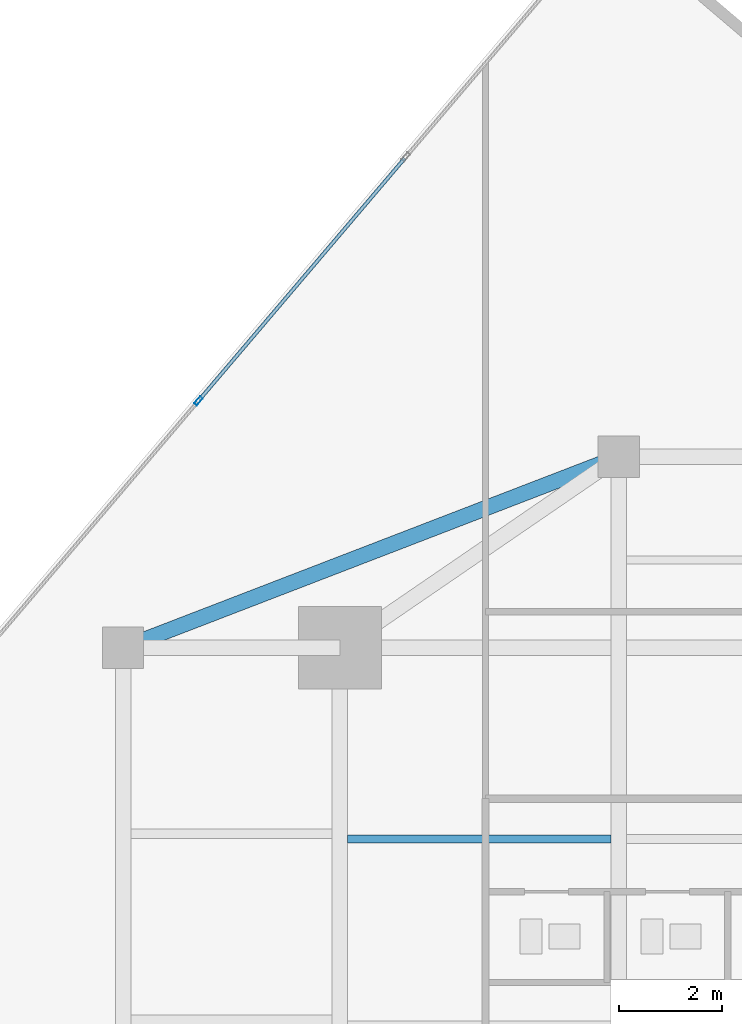
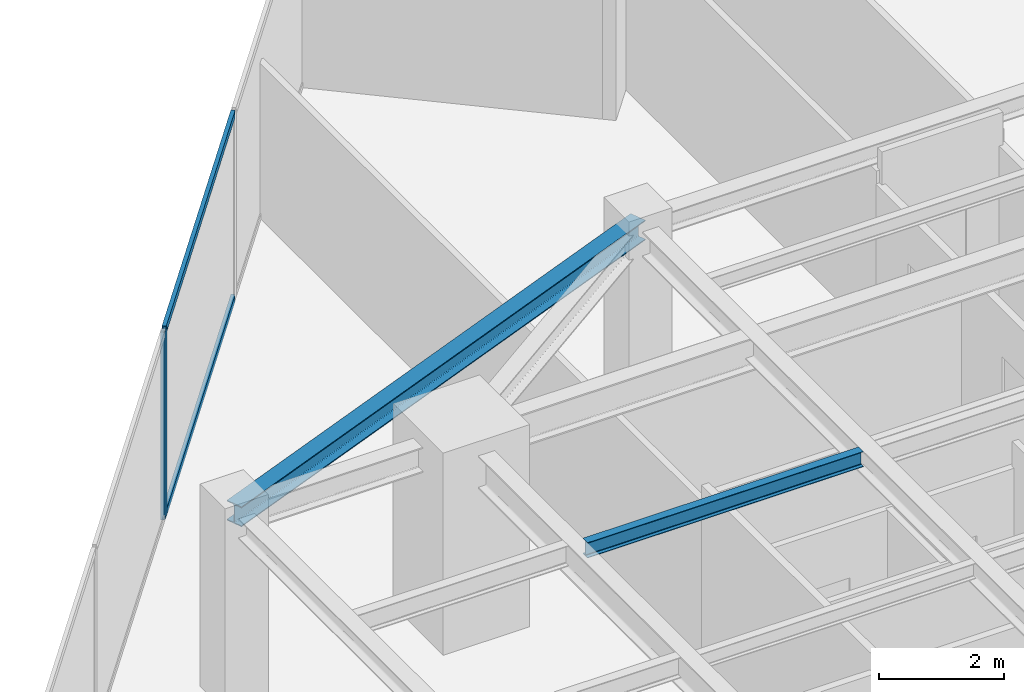
# One storey, part 15 of 25: 3 members, 2 beams, 1 element without a shape of its own.
"""IFC4 building model written with IfcOpenShell, lengths in metres."""

import ifcopenshell
import ifcopenshell.guid

model = None  # the IFC model being written
_history = None  # IfcOwnerHistory: only IFC2X3 demands one
_inside = {}  # id of a spatial element -> (the spatial element, [elements in it])
_under = {}  # id of a project, library or spatial element -> (it, [spatial elements below it])
_declared = {}  # id of a project -> (the project, [libraries it declares])
_typed = {}  # id of a type object -> (the type object, [elements of that type])
_made_of = {}  # id of a material, layer set ... -> (it, [elements and type objects made of it])


def new_model(schema):
    """Start an empty IFC model of exactly this schema.

    Asked for "IFC4X3", IfcOpenShell would pick the latest addendum, in which some entities
    have other attributes; the version numbers below select the first issue.
    IFC2X3 requires an IfcOwnerHistory on every rooted entity: one is made here for all.
    """
    global model, _history
    if schema == "IFC4X3":
        model = ifcopenshell.file(schema_version=(4, 3, 0, 0))
    else:
        model = ifcopenshell.file(schema=schema)
    _inside.clear()
    _under.clear()
    _declared.clear()
    _typed.clear()
    _made_of.clear()
    _history = None
    if model.schema == "IFC2X3":
        org = make("IfcOrganization", Name="unknown")
        user = make(
            "IfcPersonAndOrganization",
            ThePerson=make("IfcPerson", FamilyName="unknown"),
            TheOrganization=org,
        )
        app = make(
            "IfcApplication",
            ApplicationDeveloper=org,
            Version="unknown",
            ApplicationFullName="unknown",
            ApplicationIdentifier="unknown",
        )
        _history = make(
            "IfcOwnerHistory",
            OwningUser=user,
            OwningApplication=app,
            ChangeAction="ADDED",
            CreationDate=0,
        )
    return model


def make(cls, **values):
    """One entity of the class cls with the attributes given. An attribute that is None is left unset."""
    return model.create_entity(
        cls, **{name: value for name, value in values.items() if value is not None}
    )


def rooted(cls, **values):
    """An entity with a GlobalId (a new one), such as an element, a storey or a relation."""
    return make(cls, GlobalId=ifcopenshell.guid.new(), OwnerHistory=_history, **values)


def si_unit(unit_type, name, prefix=None):
    """IfcSIUnit, for example si_unit("LENGTHUNIT", "METRE", prefix="MILLI")."""
    return make("IfcSIUnit", UnitType=unit_type, Prefix=prefix, Name=name)


def assignment(units):
    """IfcUnitAssignment: the units of a project."""
    return None if units is None else make("IfcUnitAssignment", Units=units)


def point(xyz):
    """IfcCartesianPoint."""
    return None if xyz is None else make("IfcCartesianPoint", Coordinates=xyz)


def direction(xyz):
    """IfcDirection."""
    return None if xyz is None else make("IfcDirection", DirectionRatios=xyz)


def frame(location, z_axis=None, x_axis=None):
    """IfcAxis2Placement3D, a coordinate frame: its origin and axes. An axis left out is left unset."""
    return make(
        "IfcAxis2Placement3D",
        Location=point(location),
        Axis=direction(z_axis),
        RefDirection=direction(x_axis),
    )


def frame_2d(location, x_axis=None):
    """IfcAxis2Placement2D, a coordinate frame in the plane: its origin and x axis."""
    return make(
        "IfcAxis2Placement2D", Location=point(location), RefDirection=direction(x_axis)
    )


def origin():
    """The frame at (0, 0, 0) with its axes left unset."""
    return frame((0.0, 0.0, 0.0))


def origin_2d():
    """The frame at (0, 0) in the plane with its x axis left unset."""
    return frame_2d((0.0, 0.0))


def place(relative_to, where):
    """IfcLocalPlacement: puts the frame where relative to a parent placement (None: the world)."""
    return make(
        "IfcLocalPlacement", PlacementRelTo=relative_to, RelativePlacement=where
    )


def context(
    kind, dimensions, precision=None, world=None, true_north=None, identifier=None
):
    """IfcGeometricRepresentationContext, for example the 3D "Model" context."""
    return make(
        "IfcGeometricRepresentationContext",
        ContextIdentifier=identifier,
        ContextType=kind,
        CoordinateSpaceDimension=dimensions,
        Precision=precision,
        WorldCoordinateSystem=world,
        TrueNorth=true_north,
    )


def subcontext(parent, identifier, kind, view, scale=None):
    """IfcGeometricRepresentationSubContext, for example "Body" below "Model"."""
    return make(
        "IfcGeometricRepresentationSubContext",
        ContextIdentifier=identifier,
        ContextType=kind,
        ParentContext=parent,
        TargetScale=scale,
        TargetView=view,
    )


def project(units=None, contexts=None):
    """IfcProject with its units and contexts."""
    return rooted(
        "IfcProject",
        Name="project",
        RepresentationContexts=contexts,
        UnitsInContext=assignment(units),
    )


def spatial(cls, under=None, at=None, **own):
    """A site, building, storey or space (cls), placed at a placement, below another one or the project."""
    s = rooted(cls, ObjectPlacement=at, **own)
    if under is not None:
        _under.setdefault(under.id(), (under, []))[1].append(s)
    return s


def profile(cls, at=None, kind="AREA", **sizes):
    """A parametric profile (cls). Its sizes go by their IFC names, for example OverallWidth=200.0."""
    return make(cls, ProfileType=kind, Position=at, **sizes)


def hollow_rectangle(**sizes):
    """IfcRectangleHollowProfileDef."""
    return profile("IfcRectangleHollowProfileDef", **sizes)


def i_section(**sizes):
    """IfcIShapeProfileDef."""
    return profile("IfcIShapeProfileDef", **sizes)


def extrude(swept, where, along, depth):
    """IfcExtrudedAreaSolid: the profile swept, set in the frame where, extruded along a direction by depth."""
    return make(
        "IfcExtrudedAreaSolid",
        SweptArea=swept,
        Position=where,
        ExtrudedDirection=direction(along),
        Depth=depth,
    )


def shape(context_of_items, identifier, shape_type, items):
    """IfcShapeRepresentation: the items that make up one representation, for example the "Body"."""
    return make(
        "IfcShapeRepresentation",
        ContextOfItems=context_of_items,
        RepresentationIdentifier=identifier,
        RepresentationType=shape_type,
        Items=items,
    )


def source(mapping_origin, context_of_items, identifier, shape_type, items):
    """IfcRepresentationMap: a shape defined once, which mapped items show again and again."""
    return make(
        "IfcRepresentationMap",
        MappingOrigin=mapping_origin,
        MappedRepresentation=shape(context_of_items, identifier, shape_type, items),
    )


def transform(
    local_origin,
    x_axis=None,
    y_axis=None,
    z_axis=None,
    scale=None,
    scale2=None,
    scale3=None,
    uniform=True,
):
    """IfcCartesianTransformationOperator3D, or its non-uniform kind. x_axis, y_axis, z_axis: its Axis1, 2, 3."""
    if uniform:
        return make(
            "IfcCartesianTransformationOperator3D",
            Axis1=direction(x_axis),
            Axis2=direction(y_axis),
            LocalOrigin=point(local_origin),
            Scale=scale,
            Axis3=direction(z_axis),
        )
    return make(
        "IfcCartesianTransformationOperator3DnonUniform",
        Axis1=direction(x_axis),
        Axis2=direction(y_axis),
        LocalOrigin=point(local_origin),
        Scale=scale,
        Axis3=direction(z_axis),
        Scale2=scale2,
        Scale3=scale3,
    )


def mapped(mapping_source, mapping_target):
    """IfcMappedItem: shows the shape of a source again, moved by a transform."""
    return make(
        "IfcMappedItem", MappingSource=mapping_source, MappingTarget=mapping_target
    )


def material(Name=None, Category=None):
    """IfcMaterial."""
    return make("IfcMaterial", Name=Name, Category=Category)


def material_profile(
    of_material, cross_section, Name=None, Category=None, Priority=None
):
    """IfcMaterialProfile: a cross section and its material."""
    return make(
        "IfcMaterialProfile",
        Name=Name,
        Material=of_material,
        Profile=cross_section,
        Priority=Priority,
        Category=Category,
    )


def profile_set(profiles, Name=None, composite=None):
    """IfcMaterialProfileSet."""
    return make(
        "IfcMaterialProfileSet",
        Name=Name,
        MaterialProfiles=profiles,
        CompositeProfile=composite,
    )


def made_of(thing, what):
    """Note that an element or type object is made of a material, layer set ...; save() writes the relation."""
    if what is not None:
        _made_of.setdefault(what.id(), (what, []))[1].append(thing)
    return thing


def type_object(cls, material=None, **own):
    """A type object (cls), such as IfcWallType, which elements share."""
    return made_of(rooted(cls, **own), material)


def type_shapes(of_type, sources):
    """Give a type object the sources (RepresentationMaps) that its elements show as mapped items."""
    of_type.RepresentationMaps = sources


def element(
    cls,
    number,
    at=None,
    inside=None,
    cuts=None,
    type_object=None,
    material=None,
    context=None,
    identifier="Body",
    shape_type=None,
    held_by="IfcProductDefinitionShape",
    body=None,
    shapes=None,
    **own,
):
    """One element of the class cls, such as IfcWall. Its Tag is "e" and its number.

    at: its placement. inside: the storey or other place that contains it. cuts: it is an
    opening in that element (IfcRelVoidsElement). A single representation is given by context,
    identifier, shape_type and body (its items); several are given by shapes. held_by: the class
    of the entity that holds the representations. save() writes the other relations.
    """
    e = rooted(cls, Tag="e%d" % number, ObjectPlacement=at, **own)
    if body is not None:
        shapes = [shape(context, identifier, shape_type, body)]
    if shapes is not None:
        e.Representation = make(held_by, Representations=shapes)
    if inside is not None:
        _inside.setdefault(inside.id(), (inside, []))[1].append(e)
    if cuts is not None:
        rooted(
            "IfcRelVoidsElement", RelatingBuildingElement=cuts, RelatedOpeningElement=e
        )
    if type_object is not None:
        _typed.setdefault(type_object.id(), (type_object, []))[1].append(e)
    return made_of(e, material)


def aggregate(whole, parts):
    """IfcRelAggregates: a whole, such as a stair, and the parts it consists of."""
    return rooted("IfcRelAggregates", RelatingObject=whole, RelatedObjects=parts)


def save(model, path):
    """Write the relations noted so far, then the file.

    IfcRelAggregates (storeys below a building ...), IfcRelContainedInSpatialStructure (elements
    in a storey), IfcRelDefinesByType, IfcRelAssociatesMaterial and IfcRelDeclares: one each for
    every whole, place, type object, material and project.
    """
    for whole, parts in _under.values():
        aggregate(whole, parts)
    for where, things in _inside.values():
        rooted(
            "IfcRelContainedInSpatialStructure",
            RelatedElements=things,
            RelatingStructure=where,
        )
    for kind, things in _typed.values():
        rooted("IfcRelDefinesByType", RelatedObjects=things, RelatingType=kind)
    for what, things in _made_of.values():
        rooted("IfcRelAssociatesMaterial", RelatedObjects=things, RelatingMaterial=what)
    for by, libraries in _declared.values():
        rooted("IfcRelDeclares", RelatingContext=by, RelatedDefinitions=libraries)
    model.write(path)


model = new_model("IFC4")

# Units and contexts
model_context = context("Model", 3, precision=1e-05, world=origin(), true_north=direction((0.0, 1.0)))
body_context = subcontext(model_context, "Body", "Model", "MODEL_VIEW")
ifc_project = project(units=[si_unit("LENGTHUNIT", "METRE"), si_unit("AREAUNIT", "SQUARE_METRE"), si_unit("VOLUMEUNIT", "CUBIC_METRE"), si_unit("PLANEANGLEUNIT", "RADIAN"), si_unit("MASSUNIT", "GRAM", prefix="KILO")], contexts=[model_context])

# Site, building, storey
site_placement = place(None, origin())
site = spatial("IfcSite", under=ifc_project, at=site_placement, CompositionType="ELEMENT")
building_placement = place(site_placement, origin())
building = spatial("IfcBuilding", under=site, at=building_placement, Name="Krantzveldt Concourse Tower", CompositionType="ELEMENT")
storey_placement = place(building_placement, frame((0.0, 0.0, 215.199951171875)))
storey = spatial("IfcBuildingStorey", under=building, at=storey_placement, Name="L52", CompositionType="ELEMENT", Elevation=215.199951171875)

# Beams
ifc_material_1 = material(Name="Steel S355JR", Category="steel")
ifc_material_profile_1 = material_profile(ifc_material_1, i_section(OverallWidth=0.300048828125, OverallDepth=0.389892578125, WebThickness=0.010986328125, FlangeThickness=0.01904296875, FilletRadius=0.027099609375, at=origin_2d()), Name="Steel S355JR", Category="steel")
ifc_profile_set_1 = profile_set([ifc_material_profile_1], Name="Steel S355JR - HEA 400")
beam_type_1 = type_object("IfcBeamType", Name="BM-SP-HEA400", PredefinedType="SPANDREL", material=ifc_profile_set_1)
shared_shape_1 = source(origin(), body_context, "Body", "SweptSolid", [
    extrude(i_section(OverallWidth=0.300048828125, OverallDepth=0.389892578125, WebThickness=0.010986328125, FlangeThickness=0.01904296875, FilletRadius=0.027099609375, at=origin_2d()), origin(), (0.0, 0.0, 1.0), 10.288330078125),
])
type_shapes(beam_type_1, [shared_shape_1])
beam_1_placement = place(storey_placement, frame((21.0, 37.5, 3.47509765625), z_axis=(0.933097690408, 0.359622997257, 0.0), x_axis=(-0.359622997257, 0.933097690408, 0.0)))
element("IfcBeam", 1, at=beam_1_placement, inside=storey, type_object=beam_type_1, Name="L52 Tower Girder SP-R03", PredefinedType="SPANDREL", context=body_context, shape_type="MappedRepresentation", body=[
    mapped(shared_shape_1, transform((0.0, 0.0, 0.0), x_axis=(1.0, 0.0, 0.0), y_axis=(0.0, 1.0, 0.0), z_axis=(0.0, 0.0, 1.0), scale=1.0)),
])
ifc_material_profile_2 = material_profile(ifc_material_1, i_section(OverallWidth=0.14990234375, OverallDepth=0.300048828125, WebThickness=0.007080078125, FlangeThickness=0.0107421875, FilletRadius=0.014892578125, at=origin_2d()), Name="Steel S355JR", Category="steel")
ifc_profile_set_2 = profile_set([ifc_material_profile_2], Name="Steel S355JR - IPE 300")
beam_type_2 = type_object("IfcBeamType", Name="BM-J-IPE300", PredefinedType="JOIST", material=ifc_profile_set_2)
shared_shape_2 = source(origin(), body_context, "Body", "SweptSolid", [
    extrude(i_section(OverallWidth=0.14990234375, OverallDepth=0.300048828125, WebThickness=0.007080078125, FlangeThickness=0.0107421875, FilletRadius=0.014892578125, at=origin_2d()), origin(), (0.0, 0.0, 1.0), 5.099853515625),
])
type_shapes(beam_type_2, [shared_shape_2])
beam_2_placement = place(storey_placement, frame((25.35009765625, 33.800048828125, 3.52001953125), z_axis=(1.0, 0.0, 0.0), x_axis=(0.0, 1.0, 0.0)))
element("IfcBeam", 2, at=beam_2_placement, inside=storey, type_object=beam_type_2, Name="L52 Secondary Floor Joist JN-W2", PredefinedType="JOIST", context=body_context, shape_type="MappedRepresentation", body=[
    mapped(shared_shape_2, transform((0.0, 0.0, 0.0), x_axis=(1.0, 0.0, 0.0), y_axis=(0.0, 1.0, 0.0), z_axis=(0.0, 0.0, 1.0), scale=1.0)),
])

# Curtain wall, members
ifc_material_2 = material(Name="Anodised aluminium 6063-T6", Category="aluminium")
curtain_wall_type = type_object("IfcCurtainWallType", Name="CW3", PredefinedType="USERDEFINED", material=ifc_material_2)
curtain_wall_placement = place(storey_placement, origin())
curtain_wall = element("IfcCurtainWall", 3, at=curtain_wall_placement, inside=storey, type_object=curtain_wall_type, Name="CW-L52-F01", ObjectType="UNITISED CURTAIN WALL", PredefinedType="USERDEFINED")
ifc_material_profile_3 = material_profile(ifc_material_2, hollow_rectangle(XDim=0.070068359375, YDim=0.179931640625, WallThickness=0.0048828125, at=origin_2d()), Name="Anodised aluminium 6063-T6", Category="aluminium")
ifc_profile_set_3 = profile_set([ifc_material_profile_3], Name="Anodised aluminium 6063-T6 - ALU-MULL 180x70x5")
member_type_1 = type_object("IfcMemberType", Name="CW-MUL-180", PredefinedType="MULLION", material=ifc_profile_set_3)
shared_shape_3 = source(origin(), body_context, "Body", "SweptSolid", [
    extrude(hollow_rectangle(XDim=0.070068359375, YDim=0.179931640625, WallThickness=0.0048828125, at=origin_2d()), origin(), (0.0, 0.0, 1.0), 3.670166015625),
])
type_shapes(member_type_1, [shared_shape_3])
member_1_placement = place(storey_placement, frame((22.45947265625, 42.282958984375, 0.0), z_axis=(0.0, 0.0, 1.0), x_axis=(0.761820912327, -0.647787694805, 0.0)))
member_1 = element("IfcMember", 4, at=member_1_placement, type_object=member_type_1, Name="CW-Z34 mullion 3", PredefinedType="MULLION", context=body_context, shape_type="MappedRepresentation", body=[
    mapped(shared_shape_3, transform((0.0, 0.0, 0.0), x_axis=(1.0, 0.0, 0.0), y_axis=(0.0, 1.0, 0.0), z_axis=(0.0, 0.0, 1.0), scale=1.0)),
])
ifc_material_profile_4 = material_profile(ifc_material_2, hollow_rectangle(XDim=0.070068359375, YDim=0.139892578125, WallThickness=0.0048828125, at=origin_2d()), Name="Anodised aluminium 6063-T6", Category="aluminium")
ifc_profile_set_4 = profile_set([ifc_material_profile_4], Name="Anodised aluminium 6063-T6 - ALU-TRAN 140x70x5")
member_type_2 = type_object("IfcMemberType", Name="CW-TRN-150", PredefinedType="USERDEFINED", material=ifc_profile_set_4)
shared_shape_4 = source(origin(), body_context, "Body", "SweptSolid", [
    extrude(hollow_rectangle(XDim=0.070068359375, YDim=0.139892578125, WallThickness=0.0048828125, at=origin_2d()), origin(), (0.0, 0.0, 1.0), 6.130126953125),
])
type_shapes(member_type_2, [shared_shape_4])
member_2_placement = place(storey_placement, frame((26.452880859375, 46.979736328125, 0.03515625), z_axis=(-0.647772109575, -0.761834164406, 0.0), x_axis=(0.761834164406, -0.647772109575, 0.0)))
member_2 = element("IfcMember", 5, at=member_2_placement, type_object=member_type_2, Name="CW-Z34 transom 2.1", ObjectType="TRANSOM", PredefinedType="USERDEFINED", context=body_context, shape_type="MappedRepresentation", body=[
    mapped(shared_shape_4, transform((0.0, 0.0, 0.0), x_axis=(1.0, 0.0, 0.0), y_axis=(0.0, 1.0, 0.0), z_axis=(0.0, 0.0, 1.0), scale=1.0)),
])
member_3_placement = place(storey_placement, frame((26.452880859375, 46.979736328125, 3.635009765625), z_axis=(-0.647772109575, -0.761834164406, 0.0), x_axis=(0.761834164406, -0.647772109575, 0.0)))
member_3 = element("IfcMember", 6, at=member_3_placement, type_object=member_type_2, Name="CW-Z34 transom 2.2", ObjectType="TRANSOM", PredefinedType="USERDEFINED", context=body_context, shape_type="MappedRepresentation", body=[
    mapped(shared_shape_4, transform((0.0, 0.0, 0.0), x_axis=(1.0, 0.0, 0.0), y_axis=(0.0, 1.0, 0.0), z_axis=(0.0, 0.0, 1.0), scale=1.0)),
])
aggregate(curtain_wall, [member_1, member_2, member_3])

save(model, "model.ifc")
